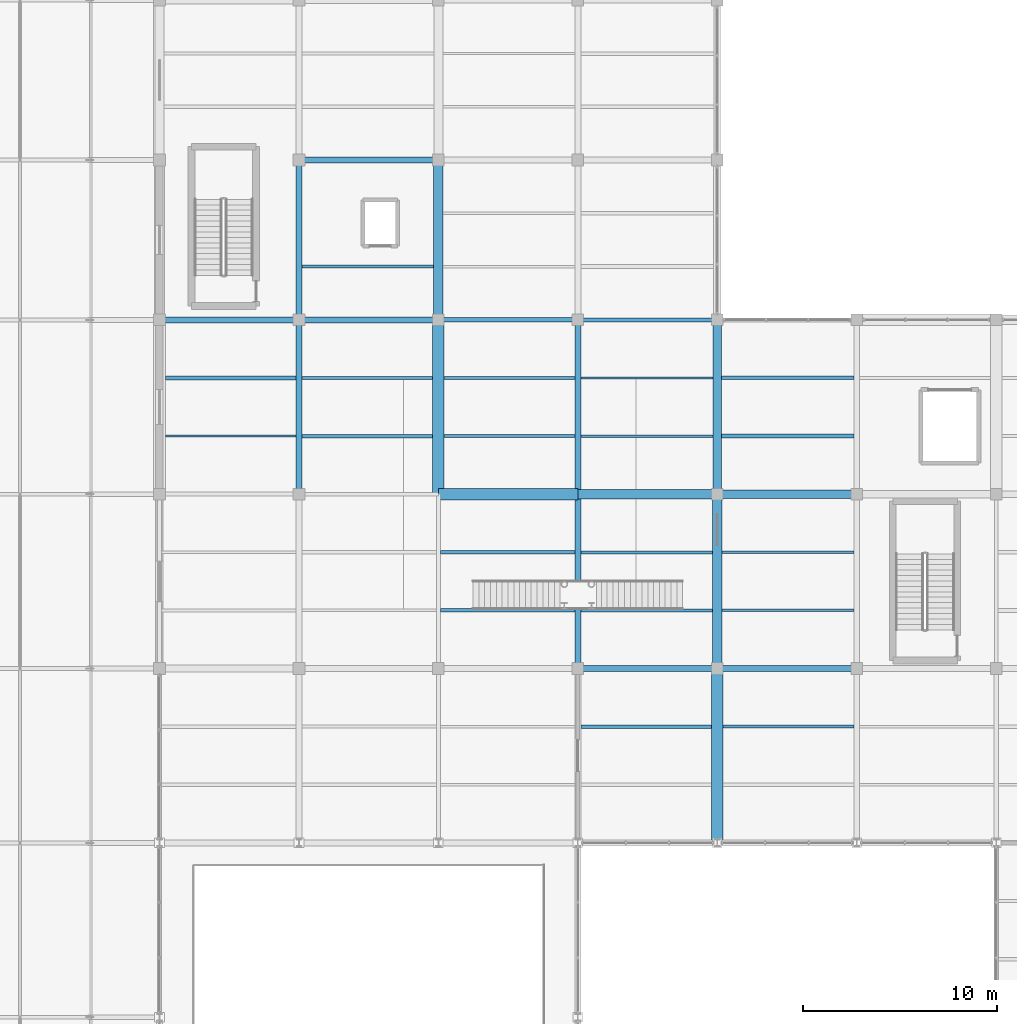
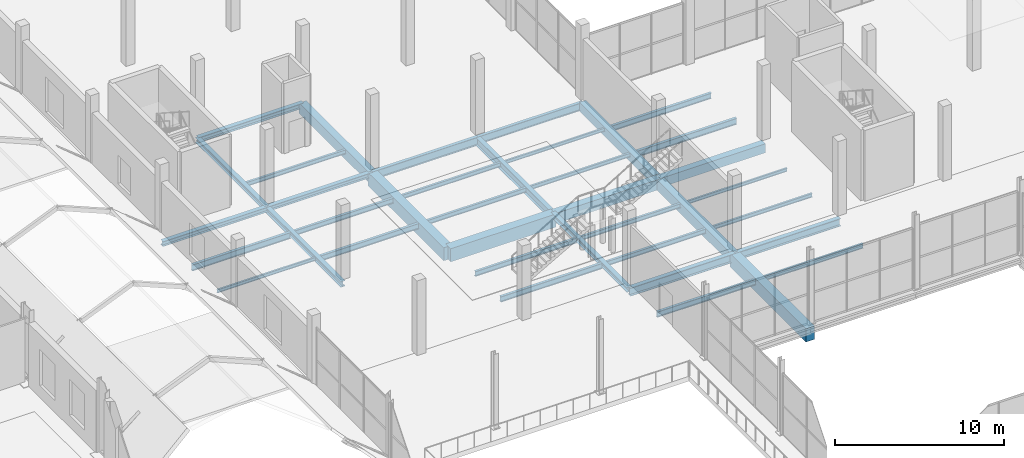
# One storey, part 49 of 141: 38 beams.
"""IFC4 building model written with IfcOpenShell, lengths in metres."""

from ifc_helpers import new_model, si_unit, direction, frame, origin, origin_2d, place, context, subcontext, project, spatial, rectangle, i_section, extrude, material, material_profile, profile_set, type_object, element, save


model = new_model("IFC4")

# Units and contexts
model_context = context("Model", 3, precision=1e-05, world=origin(), true_north=direction((0.0, 1.0)))
body_context = subcontext(model_context, "Body", "Model", "MODEL_VIEW")
ifc_project = project(units=[si_unit("LENGTHUNIT", "METRE"), si_unit("AREAUNIT", "SQUARE_METRE"), si_unit("VOLUMEUNIT", "CUBIC_METRE"), si_unit("PLANEANGLEUNIT", "RADIAN"), si_unit("MASSUNIT", "GRAM", prefix="KILO")], contexts=[model_context])

# Site, building, storey
site_placement = place(None, origin())
site = spatial("IfcSite", under=ifc_project, at=site_placement, CompositionType="ELEMENT")
building_placement = place(site_placement, origin())
building = spatial("IfcBuilding", under=site, at=building_placement, Name="Sundgate Opera House", CompositionType="ELEMENT")
storey_placement = place(building_placement, frame((0.0, 0.0, 11.39990234375)))
storey = spatial("IfcBuildingStorey", under=building, at=storey_placement, Name="L02", CompositionType="ELEMENT", Elevation=11.39990234375)

# Beams
ifc_material_1 = material(Name="Steel S355J2", Category="steel")
ifc_material_profile_1 = material_profile(ifc_material_1, i_section(OverallWidth=0.300048828125, OverallDepth=0.330078125, WebThickness=0.009521484375, FlangeThickness=0.0166015625, at=origin_2d()), Name="HEA 340")
ifc_profile_set_1 = profile_set([ifc_material_profile_1], Name="Steel S355J2")
beam_type_1 = type_object("IfcBeamType", Name="BM-GR-HEA340", PredefinedType="BEAM", material=ifc_profile_set_1)
beam_1_placement = place(storey_placement, frame((102.60009765625, 87.0, -0.514892578125), z_axis=(1.0, 0.0, 0.0), x_axis=(0.0, 1.0, 0.0)))
element("IfcBeam", 1, at=beam_1_placement, inside=storey, type_object=beam_type_1, Name="L02 Primary E-W Girder B2060", PredefinedType="BEAM", context=body_context, shape_type="SweptSolid", body=[
    extrude(i_section(OverallWidth=0.300048828125, OverallDepth=0.330078125, WebThickness=0.009521484375, FlangeThickness=0.0166015625, at=origin_2d()), origin(), (0.0, 0.0, 1.0), 7.199951171875),
])
ifc_material_2 = material(Name="Steel S355J2", Category="steel")
ifc_material_profile_2 = material_profile(ifc_material_2, i_section(OverallWidth=0.300048828125, OverallDepth=0.35009765625, WebThickness=0.010009765625, FlangeThickness=0.017578125, at=origin_2d()), Name="HEA 360")
ifc_profile_set_2 = profile_set([ifc_material_profile_2], Name="Steel S355J2")
beam_type_2 = type_object("IfcBeamType", Name="BM-GR-HEA360", PredefinedType="BEAM", material=ifc_profile_set_2)
beam_2_placement = place(storey_placement, frame((95.39990234375, 87.0, -0.52490234375), z_axis=(1.0, 0.0, 0.0), x_axis=(0.0, 1.0, 0.0)))
element("IfcBeam", 2, at=beam_2_placement, inside=storey, type_object=beam_type_2, Name="L02 Primary E-W Girder B2059", PredefinedType="BEAM", context=body_context, shape_type="SweptSolid", body=[
    extrude(i_section(OverallWidth=0.300048828125, OverallDepth=0.35009765625, WebThickness=0.010009765625, FlangeThickness=0.017578125, at=origin_2d()), origin(), (0.0, 0.0, 1.0), 7.2001953125),
])
ifc_material_3 = material(Name="Steel S355J2", Category="steel")
ifc_material_profile_3 = material_profile(ifc_material_3, i_section(OverallWidth=0.300048828125, OverallDepth=0.590087890625, WebThickness=0.012939453125, FlangeThickness=0.02490234375, at=origin_2d()), Name="HEA 600")
ifc_profile_set_3 = profile_set([ifc_material_profile_3], Name="Steel S355J2")
beam_type_3 = type_object("IfcBeamType", Name="BM-GR-HEA600", PredefinedType="BEAM", material=ifc_profile_set_3)
beam_3_placement = place(storey_placement, frame((117.0, 78.0, -0.64501953125), z_axis=(0.0, 1.0, 0.0), x_axis=(-1.0, 0.0, 0.0)))
element("IfcBeam", 3, at=beam_3_placement, inside=storey, type_object=beam_type_3, Name="L02 Primary N-S Girder B1887", PredefinedType="BEAM", context=body_context, shape_type="SweptSolid", body=[
    extrude(i_section(OverallWidth=0.300048828125, OverallDepth=0.590087890625, WebThickness=0.012939453125, FlangeThickness=0.02490234375, at=origin_2d()), origin(), (0.0, 0.0, 1.0), 9.0),
])
ifc_material_4 = material(Name="Steel S355J2", Category="steel")
ifc_material_profile_4 = material_profile(ifc_material_4, i_section(OverallWidth=0.300048828125, OverallDepth=0.360107421875, WebThickness=0.012451171875, FlangeThickness=0.0224609375, at=origin_2d()), Name="HEB 360")
ifc_profile_set_4 = profile_set([ifc_material_profile_4], Name="Steel S355J2")
beam_type_4 = type_object("IfcBeamType", Name="BM-GR-HEB360", PredefinedType="BEAM", material=ifc_profile_set_4)
beam_4_placement = place(storey_placement, frame((102.60009765625, 87.0, -0.52978515625), z_axis=(0.0, 1.0, 0.0), x_axis=(-1.0, 0.0, 0.0)))
element("IfcBeam", 4, at=beam_4_placement, inside=storey, type_object=beam_type_4, Name="L02 Primary N-S Girder B1864", PredefinedType="BEAM", context=body_context, shape_type="SweptSolid", body=[
    extrude(i_section(OverallWidth=0.300048828125, OverallDepth=0.360107421875, WebThickness=0.012451171875, FlangeThickness=0.0224609375, at=origin_2d()), origin(), (0.0, 0.0, 1.0), 8.25),
])
beam_5_placement = place(storey_placement, frame((117.0, 69.0, -0.52978515625), z_axis=(0.0, 1.0, 0.0), x_axis=(-1.0, 0.0, 0.0)))
element("IfcBeam", 5, at=beam_5_placement, inside=storey, type_object=beam_type_4, Name="L02 Primary N-S Girder B1886", PredefinedType="BEAM", context=body_context, shape_type="SweptSolid", body=[
    extrude(i_section(OverallWidth=0.300048828125, OverallDepth=0.360107421875, WebThickness=0.012451171875, FlangeThickness=0.0224609375, at=origin_2d()), origin(), (0.0, 0.0, 1.0), 9.0),
])
beam_6_placement = place(storey_placement, frame((102.60009765625, 95.25, -0.52978515625), z_axis=(1.0, 0.0, 0.0), x_axis=(0.0, 1.0, 0.0)))
element("IfcBeam", 6, at=beam_6_placement, inside=storey, type_object=beam_type_4, Name="L02 Primary E-W Girder B2076", PredefinedType="BEAM", context=body_context, shape_type="SweptSolid", body=[
    extrude(i_section(OverallWidth=0.300048828125, OverallDepth=0.360107421875, WebThickness=0.012451171875, FlangeThickness=0.0224609375, at=origin_2d()), origin(), (0.0, 0.0, 1.0), 7.199951171875),
])
ifc_material_5 = material(Name="Steel S355J2", Category="steel")
ifc_material_profile_5 = material_profile(ifc_material_5, i_section(OverallWidth=0.300048828125, OverallDepth=0.39990234375, WebThickness=0.013427734375, FlangeThickness=0.02392578125, at=origin_2d()), Name="HEB 400")
ifc_profile_set_5 = profile_set([ifc_material_profile_5], Name="Steel S355J2")
beam_type_5 = type_object("IfcBeamType", Name="BM-GR-HEB400", PredefinedType="BEAM", material=ifc_profile_set_5)
beam_7_placement = place(storey_placement, frame((102.60009765625, 78.0, -0.5498046875), z_axis=(0.0, 1.0, 0.0), x_axis=(-1.0, 0.0, 0.0)))
element("IfcBeam", 7, at=beam_7_placement, inside=storey, type_object=beam_type_5, Name="L02 Primary N-S Girder B1863", PredefinedType="BEAM", context=body_context, shape_type="SweptSolid", body=[
    extrude(i_section(OverallWidth=0.300048828125, OverallDepth=0.39990234375, WebThickness=0.013427734375, FlangeThickness=0.02392578125, at=origin_2d()), origin(), (0.0, 0.0, 1.0), 9.0),
])
ifc_material_6 = material(Name="Steel S355J2", Category="steel")
ifc_material_profile_6 = material_profile(ifc_material_6, i_section(OverallWidth=0.300048828125, OverallDepth=0.550048828125, WebThickness=0.014892578125, FlangeThickness=0.029052734375, at=origin_2d()), Name="HEB 550")
ifc_profile_set_6 = profile_set([ifc_material_profile_6], Name="Steel S355J2")
beam_type_6 = type_object("IfcBeamType", Name="BM-GR-HEB550", PredefinedType="BEAM", material=ifc_profile_set_6)
beam_8_placement = place(storey_placement, frame((124.199951171875, 69.0, -0.625), z_axis=(1.0, 0.0, 0.0), x_axis=(0.0, 1.0, 0.0)))
element("IfcBeam", 8, at=beam_8_placement, inside=storey, type_object=beam_type_6, Name="L02 Primary E-W Girder B2038", PredefinedType="BEAM", context=body_context, shape_type="SweptSolid", body=[
    extrude(i_section(OverallWidth=0.300048828125, OverallDepth=0.550048828125, WebThickness=0.014892578125, FlangeThickness=0.029052734375, at=origin_2d()), origin(), (0.0, 0.0, 1.0), 7.199951171875),
])
ifc_material_7 = material(Name="Steel S355J2", Category="steel")
ifc_material_profile_7 = material_profile(ifc_material_7, i_section(OverallWidth=0.300048828125, OverallDepth=0.60009765625, WebThickness=0.015380859375, FlangeThickness=0.030029296875, at=origin_2d()), Name="HEB 600")
ifc_profile_set_7 = profile_set([ifc_material_profile_7], Name="Steel S355J2")
beam_type_7 = type_object("IfcBeamType", Name="BM-GR-HEB600", PredefinedType="BEAM", material=ifc_profile_set_7)
beam_9_placement = place(storey_placement, frame((117.0, 69.0, -0.64990234375), z_axis=(1.0, 0.0, 0.0), x_axis=(0.0, 1.0, 0.0)))
element("IfcBeam", 9, at=beam_9_placement, inside=storey, type_object=beam_type_7, Name="L02 Primary E-W Girder B2037", PredefinedType="BEAM", context=body_context, shape_type="SweptSolid", body=[
    extrude(i_section(OverallWidth=0.300048828125, OverallDepth=0.60009765625, WebThickness=0.015380859375, FlangeThickness=0.030029296875, at=origin_2d()), origin(), (0.0, 0.0, 1.0), 7.199951171875),
])
ifc_material_8 = material(Name="Steel S355J2", Category="steel")
ifc_material_profile_8 = material_profile(ifc_material_8, i_section(OverallWidth=0.2099609375, OverallDepth=0.550048828125, WebThickness=0.010986328125, FlangeThickness=0.01708984375, at=origin_2d()), Name="IPE 550")
ifc_profile_set_8 = profile_set([ifc_material_profile_8], Name="Steel S355J2")
beam_type_8 = type_object("IfcBeamType", Name="BM-GR-IPE550", PredefinedType="BEAM", material=ifc_profile_set_8)
beam_10_placement = place(storey_placement, frame((117.0, 87.0, -0.625), z_axis=(1.0, 0.0, 0.0), x_axis=(0.0, 1.0, 0.0)))
element("IfcBeam", 10, at=beam_10_placement, inside=storey, type_object=beam_type_8, Name="L02 Primary E-W Girder B2062", PredefinedType="BEAM", context=body_context, shape_type="SweptSolid", body=[
    extrude(i_section(OverallWidth=0.2099609375, OverallDepth=0.550048828125, WebThickness=0.010986328125, FlangeThickness=0.01708984375, at=origin_2d()), origin(), (0.0, 0.0, 1.0), 7.199951171875),
])
ifc_material_9 = material(Name="Steel S355J2", Category="steel")
ifc_material_profile_9 = material_profile(ifc_material_9, i_section(OverallWidth=0.219970703125, OverallDepth=0.60009765625, WebThickness=0.011962890625, FlangeThickness=0.01904296875, at=origin_2d()), Name="IPE 600")
ifc_profile_set_9 = profile_set([ifc_material_profile_9], Name="Steel S355J2")
beam_type_9 = type_object("IfcBeamType", Name="BM-GR-IPE600", PredefinedType="BEAM", material=ifc_profile_set_9)
beam_11_placement = place(storey_placement, frame((109.800048828125, 87.0, -0.64990234375), z_axis=(1.0, 0.0, 0.0), x_axis=(0.0, 1.0, 0.0)))
element("IfcBeam", 11, at=beam_11_placement, inside=storey, type_object=beam_type_9, Name="L02 Primary E-W Girder B2061", PredefinedType="BEAM", context=body_context, shape_type="SweptSolid", body=[
    extrude(i_section(OverallWidth=0.219970703125, OverallDepth=0.60009765625, WebThickness=0.011962890625, FlangeThickness=0.01904296875, at=origin_2d()), origin(), (0.0, 0.0, 1.0), 7.199951171875),
])
ifc_material_10 = material(Name="Steel S355J2", Category="steel")
ifc_material_profile_10 = material_profile(ifc_material_10, i_section(OverallWidth=0.1201171875, OverallDepth=0.239990234375, WebThickness=0.006103515625, FlangeThickness=0.009765625, at=origin_2d()), Name="IPE 240")
ifc_profile_set_10 = profile_set([ifc_material_profile_10], Name="Steel S355J2")
beam_type_10 = type_object("IfcBeamType", Name="BM-JS-IPE240", PredefinedType="JOIST", material=ifc_profile_set_10)
beam_12_placement = place(storey_placement, frame((124.449951171875, 75.0, -0.469970703125), z_axis=(1.0, 0.0, 0.0), x_axis=(0.0, 1.0, 0.0)))
element("IfcBeam", 12, at=beam_12_placement, inside=storey, type_object=beam_type_10, Name="L02 Secondary Floor Joist B2296", PredefinedType="JOIST", context=body_context, shape_type="SweptSolid", body=[
    extrude(i_section(OverallWidth=0.1201171875, OverallDepth=0.239990234375, WebThickness=0.006103515625, FlangeThickness=0.009765625, at=origin_2d()), origin(), (0.0, 0.0, 1.0), 6.800048828125),
])
beam_13_placement = place(storey_placement, frame((95.699951171875, 81.0, -0.469970703125), z_axis=(1.0, 0.0, 0.0), x_axis=(0.0, 1.0, 0.0)))
element("IfcBeam", 13, at=beam_13_placement, inside=storey, type_object=beam_type_10, Name="L02 Secondary Floor Joist B2317", PredefinedType="JOIST", context=body_context, shape_type="SweptSolid", body=[
    extrude(i_section(OverallWidth=0.1201171875, OverallDepth=0.239990234375, WebThickness=0.006103515625, FlangeThickness=0.009765625, at=origin_2d()), origin(), (0.0, 0.0, 1.0), 6.75),
])
beam_14_placement = place(storey_placement, frame((117.14990234375, 84.0, -0.469970703125), z_axis=(1.0, 0.0, 0.0), x_axis=(0.0, 1.0, 0.0)))
element("IfcBeam", 14, at=beam_14_placement, inside=storey, type_object=beam_type_10, Name="L02 Secondary Floor Joist B2324", PredefinedType="JOIST", context=body_context, shape_type="SweptSolid", body=[
    extrude(i_section(OverallWidth=0.1201171875, OverallDepth=0.239990234375, WebThickness=0.006103515625, FlangeThickness=0.009765625, at=origin_2d()), origin(), (0.0, 0.0, 1.0), 6.8251953125),
])
ifc_material_11 = material(Name="Steel S355J2", Category="steel")
ifc_material_profile_11 = material_profile(ifc_material_11, i_section(OverallWidth=0.135009765625, OverallDepth=0.27001953125, WebThickness=0.006591796875, FlangeThickness=0.01025390625, at=origin_2d()), Name="IPE 270")
ifc_profile_set_11 = profile_set([ifc_material_profile_11], Name="Steel S355J2")
beam_type_11 = type_object("IfcBeamType", Name="BM-JS-IPE270", PredefinedType="JOIST", material=ifc_profile_set_11)
beam_15_placement = place(storey_placement, frame((124.449951171875, 72.0, -0.48486328125), z_axis=(1.0, 0.0, 0.0), x_axis=(0.0, 1.0, 0.0)))
element("IfcBeam", 15, at=beam_15_placement, inside=storey, type_object=beam_type_11, Name="L02 Secondary Floor Joist B2295", PredefinedType="JOIST", context=body_context, shape_type="SweptSolid", body=[
    extrude(i_section(OverallWidth=0.135009765625, OverallDepth=0.27001953125, WebThickness=0.006591796875, FlangeThickness=0.01025390625, at=origin_2d()), origin(), (0.0, 0.0, 1.0), 6.800048828125),
])
beam_16_placement = place(storey_placement, frame((117.14990234375, 81.0, -0.48486328125), z_axis=(1.0, 0.0, 0.0), x_axis=(0.0, 1.0, 0.0)))
element("IfcBeam", 16, at=beam_16_placement, inside=storey, type_object=beam_type_11, Name="L02 Secondary Floor Joist B2323", PredefinedType="JOIST", context=body_context, shape_type="SweptSolid", body=[
    extrude(i_section(OverallWidth=0.135009765625, OverallDepth=0.27001953125, WebThickness=0.006591796875, FlangeThickness=0.01025390625, at=origin_2d()), origin(), (0.0, 0.0, 1.0), 6.8251953125),
])
ifc_material_12 = material(Name="Steel S355J2", Category="steel")
ifc_material_profile_12 = material_profile(ifc_material_12, i_section(OverallWidth=0.14990234375, OverallDepth=0.300048828125, WebThickness=0.007080078125, FlangeThickness=0.0107421875, at=origin_2d()), Name="IPE 300")
ifc_profile_set_12 = profile_set([ifc_material_profile_12], Name="Steel S355J2")
beam_type_12 = type_object("IfcBeamType", Name="BM-JS-IPE300", PredefinedType="JOIST", material=ifc_profile_set_12)
beam_17_placement = place(storey_placement, frame((117.14990234375, 75.0, -0.5), z_axis=(1.0, 0.0, 0.0), x_axis=(0.0, 1.0, 0.0)))
element("IfcBeam", 17, at=beam_17_placement, inside=storey, type_object=beam_type_12, Name="L02 Secondary Floor Joist B2294", PredefinedType="JOIST", context=body_context, shape_type="SweptSolid", body=[
    extrude(i_section(OverallWidth=0.14990234375, OverallDepth=0.300048828125, WebThickness=0.007080078125, FlangeThickness=0.0107421875, at=origin_2d()), origin(), (0.0, 0.0, 1.0), 6.800048828125),
])
beam_18_placement = place(storey_placement, frame((110.10009765625, 84.0, -0.5), z_axis=(1.0, 0.0, 0.0), x_axis=(0.0, 1.0, 0.0)))
element("IfcBeam", 18, at=beam_18_placement, inside=storey, type_object=beam_type_12, Name="L02 Secondary Floor Joist B2322", PredefinedType="JOIST", context=body_context, shape_type="SweptSolid", body=[
    extrude(i_section(OverallWidth=0.14990234375, OverallDepth=0.300048828125, WebThickness=0.007080078125, FlangeThickness=0.0107421875, at=origin_2d()), origin(), (0.0, 0.0, 1.0), 6.75),
])
beam_19_placement = place(storey_placement, frame((102.75, 89.75, -0.5), z_axis=(1.0, 0.0, 0.0), x_axis=(0.0, 1.0, 0.0)))
element("IfcBeam", 19, at=beam_19_placement, inside=storey, type_object=beam_type_12, Name="L02 Secondary Floor Joist B2350", PredefinedType="JOIST", context=body_context, shape_type="SweptSolid", body=[
    extrude(i_section(OverallWidth=0.14990234375, OverallDepth=0.300048828125, WebThickness=0.007080078125, FlangeThickness=0.0107421875, at=origin_2d()), origin(), (0.0, 0.0, 1.0), 6.800048828125),
])
ifc_material_13 = material(Name="Steel S355J2", Category="steel")
ifc_material_profile_13 = material_profile(ifc_material_13, i_section(OverallWidth=0.159912109375, OverallDepth=0.330078125, WebThickness=0.007568359375, FlangeThickness=0.011474609375, at=origin_2d()), Name="IPE 330")
ifc_profile_set_13 = profile_set([ifc_material_profile_13], Name="Steel S355J2")
beam_type_13 = type_object("IfcBeamType", Name="BM-JS-IPE330", PredefinedType="JOIST", material=ifc_profile_set_13)
beam_20_placement = place(storey_placement, frame((124.5, 66.0, -0.514892578125), z_axis=(1.0, 0.0, 0.0), x_axis=(0.0, 1.0, 0.0)))
element("IfcBeam", 20, at=beam_20_placement, inside=storey, type_object=beam_type_13, Name="L02 Secondary Floor Joist B2272", PredefinedType="JOIST", context=body_context, shape_type="SweptSolid", body=[
    extrude(i_section(OverallWidth=0.159912109375, OverallDepth=0.330078125, WebThickness=0.007568359375, FlangeThickness=0.011474609375, at=origin_2d()), origin(), (0.0, 0.0, 1.0), 6.75),
])
beam_21_placement = place(storey_placement, frame((117.14990234375, 72.0, -0.514892578125), z_axis=(1.0, 0.0, 0.0), x_axis=(0.0, 1.0, 0.0)))
element("IfcBeam", 21, at=beam_21_placement, inside=storey, type_object=beam_type_13, Name="L02 Secondary Floor Joist B2293", PredefinedType="JOIST", context=body_context, shape_type="SweptSolid", body=[
    extrude(i_section(OverallWidth=0.159912109375, OverallDepth=0.330078125, WebThickness=0.007568359375, FlangeThickness=0.011474609375, at=origin_2d()), origin(), (0.0, 0.0, 1.0), 6.800048828125),
])
beam_22_placement = place(storey_placement, frame((110.10009765625, 81.0, -0.514892578125), z_axis=(1.0, 0.0, 0.0), x_axis=(0.0, 1.0, 0.0)))
element("IfcBeam", 22, at=beam_22_placement, inside=storey, type_object=beam_type_13, Name="L02 Secondary Floor Joist B2321", PredefinedType="JOIST", context=body_context, shape_type="SweptSolid", body=[
    extrude(i_section(OverallWidth=0.159912109375, OverallDepth=0.330078125, WebThickness=0.007568359375, FlangeThickness=0.011474609375, at=origin_2d()), origin(), (0.0, 0.0, 1.0), 6.75),
])
ifc_material_14 = material(Name="Steel S355J2", Category="steel")
ifc_material_profile_14 = material_profile(ifc_material_14, i_section(OverallWidth=0.169921875, OverallDepth=0.360107421875, WebThickness=0.008056640625, FlangeThickness=0.0126953125, at=origin_2d()), Name="IPE 360")
ifc_profile_set_14 = profile_set([ifc_material_profile_14], Name="Steel S355J2")
beam_type_14 = type_object("IfcBeamType", Name="BM-JS-IPE360", PredefinedType="JOIST", material=ifc_profile_set_14)
beam_23_placement = place(storey_placement, frame((109.89990234375, 75.0, -0.52978515625), z_axis=(1.0, 0.0, 0.0), x_axis=(0.0, 1.0, 0.0)))
element("IfcBeam", 23, at=beam_23_placement, inside=storey, type_object=beam_type_14, Name="L02 Secondary Floor Joist B2292", PredefinedType="JOIST", context=body_context, shape_type="SweptSolid", body=[
    extrude(i_section(OverallWidth=0.169921875, OverallDepth=0.360107421875, WebThickness=0.008056640625, FlangeThickness=0.0126953125, at=origin_2d()), origin(), (0.0, 0.0, 1.0), 6.9501953125),
])
beam_24_placement = place(storey_placement, frame((102.75, 84.0, -0.52978515625), z_axis=(1.0, 0.0, 0.0), x_axis=(0.0, 1.0, 0.0)))
element("IfcBeam", 24, at=beam_24_placement, inside=storey, type_object=beam_type_14, Name="L02 Secondary Floor Joist B2320", PredefinedType="JOIST", context=body_context, shape_type="SweptSolid", body=[
    extrude(i_section(OverallWidth=0.169921875, OverallDepth=0.360107421875, WebThickness=0.008056640625, FlangeThickness=0.0126953125, at=origin_2d()), origin(), (0.0, 0.0, 1.0), 6.75),
])
ifc_material_15 = material(Name="Steel S355J2", Category="steel")
ifc_material_profile_15 = material_profile(ifc_material_15, i_section(OverallWidth=0.179931640625, OverallDepth=0.39990234375, WebThickness=0.008544921875, FlangeThickness=0.013427734375, at=origin_2d()), Name="IPE 400")
ifc_profile_set_15 = profile_set([ifc_material_profile_15], Name="Steel S355J2")
beam_type_15 = type_object("IfcBeamType", Name="BM-JS-IPE400", PredefinedType="JOIST", material=ifc_profile_set_15)
beam_25_placement = place(storey_placement, frame((117.14990234375, 66.0, -0.5498046875), z_axis=(1.0, 0.0, 0.0), x_axis=(0.0, 1.0, 0.0)))
element("IfcBeam", 25, at=beam_25_placement, inside=storey, type_object=beam_type_15, Name="L02 Secondary Floor Joist B2270", PredefinedType="JOIST", context=body_context, shape_type="SweptSolid", body=[
    extrude(i_section(OverallWidth=0.179931640625, OverallDepth=0.39990234375, WebThickness=0.008544921875, FlangeThickness=0.013427734375, at=origin_2d()), origin(), (0.0, 0.0, 1.0), 6.75),
])
beam_26_placement = place(storey_placement, frame((109.89990234375, 72.0, -0.5498046875), z_axis=(1.0, 0.0, 0.0), x_axis=(0.0, 1.0, 0.0)))
element("IfcBeam", 26, at=beam_26_placement, inside=storey, type_object=beam_type_15, Name="L02 Secondary Floor Joist B2291", PredefinedType="JOIST", context=body_context, shape_type="SweptSolid", body=[
    extrude(i_section(OverallWidth=0.179931640625, OverallDepth=0.39990234375, WebThickness=0.008544921875, FlangeThickness=0.013427734375, at=origin_2d()), origin(), (0.0, 0.0, 1.0), 6.9501953125),
])
beam_27_placement = place(storey_placement, frame((102.75, 81.0, -0.5498046875), z_axis=(1.0, 0.0, 0.0), x_axis=(0.0, 1.0, 0.0)))
element("IfcBeam", 27, at=beam_27_placement, inside=storey, type_object=beam_type_15, Name="L02 Secondary Floor Joist B2319", PredefinedType="JOIST", context=body_context, shape_type="SweptSolid", body=[
    extrude(i_section(OverallWidth=0.179931640625, OverallDepth=0.39990234375, WebThickness=0.008544921875, FlangeThickness=0.013427734375, at=origin_2d()), origin(), (0.0, 0.0, 1.0), 6.75),
])
beam_28_placement = place(storey_placement, frame((124.425048828125, 84.0, -0.5498046875), z_axis=(1.0, 0.0, 0.0), x_axis=(0.0, 1.0, 0.0)))
element("IfcBeam", 28, at=beam_28_placement, inside=storey, type_object=beam_type_15, Name="L02 Secondary Floor Joist B2326", PredefinedType="JOIST", context=body_context, shape_type="SweptSolid", body=[
    extrude(i_section(OverallWidth=0.179931640625, OverallDepth=0.39990234375, WebThickness=0.008544921875, FlangeThickness=0.013427734375, at=origin_2d()), origin(), (0.0, 0.0, 1.0), 6.824951171875),
])
ifc_material_16 = material(Name="Steel S355J2", Category="steel")
ifc_material_profile_16 = material_profile(ifc_material_16, i_section(OverallWidth=0.18994140625, OverallDepth=0.449951171875, WebThickness=0.009521484375, FlangeThickness=0.0146484375, at=origin_2d()), Name="IPE 450")
ifc_profile_set_16 = profile_set([ifc_material_profile_16], Name="Steel S355J2")
beam_type_16 = type_object("IfcBeamType", Name="BM-JS-IPE450", PredefinedType="JOIST", material=ifc_profile_set_16)
beam_29_placement = place(storey_placement, frame((95.699951171875, 84.0, -0.574951171875), z_axis=(1.0, 0.0, 0.0), x_axis=(0.0, 1.0, 0.0)))
element("IfcBeam", 29, at=beam_29_placement, inside=storey, type_object=beam_type_16, Name="L02 Secondary Floor Joist B2318", PredefinedType="JOIST", context=body_context, shape_type="SweptSolid", body=[
    extrude(i_section(OverallWidth=0.18994140625, OverallDepth=0.449951171875, WebThickness=0.009521484375, FlangeThickness=0.0146484375, at=origin_2d()), origin(), (0.0, 0.0, 1.0), 6.75),
])
beam_30_placement = place(storey_placement, frame((124.425048828125, 81.0, -0.574951171875), z_axis=(1.0, 0.0, 0.0), x_axis=(0.0, 1.0, 0.0)))
element("IfcBeam", 30, at=beam_30_placement, inside=storey, type_object=beam_type_16, Name="L02 Secondary Floor Joist B2325", PredefinedType="JOIST", context=body_context, shape_type="SweptSolid", body=[
    extrude(i_section(OverallWidth=0.18994140625, OverallDepth=0.449951171875, WebThickness=0.009521484375, FlangeThickness=0.0146484375, at=origin_2d()), origin(), (0.0, 0.0, 1.0), 6.824951171875),
])
ifc_material_17 = material(Name="Concrete C35/45", Category="concrete")
ifc_material_profile_17 = material_profile(ifc_material_17, rectangle(XDim=0.449951171875, YDim=0.64990234375, at=origin_2d()), Name="RC 450x650")
ifc_profile_set_17 = profile_set([ifc_material_profile_17], Name="Concrete C35/45")
beam_type_17 = type_object("IfcBeamType", Name="BM-RC-450x650", PredefinedType="BEAM", material=ifc_profile_set_17)
beam_31_placement = place(storey_placement, frame((124.199951171875, 78.0, -0.6748046875), z_axis=(0.0, 1.0, 0.0), x_axis=(-1.0, 0.0, 0.0)))
element("IfcBeam", 31, at=beam_31_placement, inside=storey, type_object=beam_type_17, Name="L02 Primary N-S Girder B1898", PredefinedType="BEAM", context=body_context, shape_type="SweptSolid", body=[
    extrude(rectangle(XDim=0.449951171875, YDim=0.64990234375, at=origin_2d()), origin(), (0.0, 0.0, 1.0), 9.0),
])
beam_32_placement = place(storey_placement, frame((124.199951171875, 78.0, -0.6748046875), z_axis=(1.0, 0.0, 0.0), x_axis=(0.0, 1.0, 0.0)))
element("IfcBeam", 32, at=beam_32_placement, inside=storey, type_object=beam_type_17, Name="L02 Primary E-W Girder B2050", PredefinedType="BEAM", context=body_context, shape_type="SweptSolid", body=[
    extrude(rectangle(XDim=0.449951171875, YDim=0.64990234375, at=origin_2d()), origin(), (0.0, 0.0, 1.0), 7.199951171875),
])
ifc_material_18 = material(Name="Concrete C40/50", Category="concrete")
ifc_material_profile_18 = material_profile(ifc_material_18, rectangle(XDim=0.5, YDim=0.75, at=origin_2d()), Name="RC 500x750")
ifc_profile_set_18 = profile_set([ifc_material_profile_18], Name="Concrete C40/50")
beam_type_18 = type_object("IfcBeamType", Name="BM-RC-500x750", PredefinedType="BEAM", material=ifc_profile_set_18)
beam_33_placement = place(storey_placement, frame((109.800048828125, 87.0, -0.724853515625), z_axis=(0.0, 1.0, 0.0), x_axis=(-1.0, 0.0, 0.0)))
element("IfcBeam", 33, at=beam_33_placement, inside=storey, type_object=beam_type_18, Name="L02 Primary N-S Girder B1875", PredefinedType="BEAM", context=body_context, shape_type="SweptSolid", body=[
    extrude(rectangle(XDim=0.5, YDim=0.75, at=origin_2d()), origin(), (0.0, 0.0, 1.0), 8.25),
])
beam_34_placement = place(storey_placement, frame((124.199951171875, 69.0, -0.724853515625), z_axis=(0.0, 1.0, 0.0), x_axis=(-1.0, 0.0, 0.0)))
element("IfcBeam", 34, at=beam_34_placement, inside=storey, type_object=beam_type_18, Name="L02 Primary N-S Girder B1897", PredefinedType="BEAM", context=body_context, shape_type="SweptSolid", body=[
    extrude(rectangle(XDim=0.5, YDim=0.75, at=origin_2d()), origin(), (0.0, 0.0, 1.0), 9.0),
])
beam_35_placement = place(storey_placement, frame((117.0, 78.0, -0.724853515625), z_axis=(1.0, 0.0, 0.0), x_axis=(0.0, 1.0, 0.0)))
element("IfcBeam", 35, at=beam_35_placement, inside=storey, type_object=beam_type_18, Name="L02 Primary E-W Girder B2049", PredefinedType="BEAM", context=body_context, shape_type="SweptSolid", body=[
    extrude(rectangle(XDim=0.5, YDim=0.75, at=origin_2d()), origin(), (0.0, 0.0, 1.0), 7.199951171875),
])
ifc_material_19 = material(Name="Concrete C40/50", Category="concrete")
ifc_material_profile_19 = material_profile(ifc_material_19, rectangle(XDim=0.60009765625, YDim=0.949951171875, at=origin_2d()), Name="RC 600x950")
ifc_profile_set_19 = profile_set([ifc_material_profile_19], Name="Concrete C40/50")
beam_type_19 = type_object("IfcBeamType", Name="BM-RC-600x950", PredefinedType="BEAM", material=ifc_profile_set_19)
for number, where, z_axis, x_axis, name in (
    (36, (109.800048828125, 78.0, -0.824951171875), (0.0, 1.0, 0.0), (-1.0, 0.0, 0.0), "L02 Primary N-S Girder B1874"),
    (37, (124.199951171875, 60.0, -0.824951171875), (0.0, 1.0, 0.0), (-1.0, 0.0, 0.0), "L02 Primary N-S Girder B1896"),
):
    element("IfcBeam", number, at=place(storey_placement, frame(where, z_axis=z_axis, x_axis=x_axis)), inside=storey, type_object=beam_type_19, Name=name, PredefinedType="BEAM", context=body_context, shape_type="SweptSolid", body=[
        extrude(rectangle(XDim=0.60009765625, YDim=0.949951171875, at=origin_2d()), origin(), (0.0, 0.0, 1.0), 9.0),
    ])
beam_36_placement = place(storey_placement, frame((109.800048828125, 78.0, -0.824951171875), z_axis=(1.0, 0.0, 0.0), x_axis=(0.0, 1.0, 0.0)))
element("IfcBeam", 38, at=beam_36_placement, inside=storey, type_object=beam_type_19, Name="L02 Primary E-W Girder B2048", PredefinedType="BEAM", context=body_context, shape_type="SweptSolid", body=[
    extrude(rectangle(XDim=0.60009765625, YDim=0.949951171875, at=origin_2d()), origin(), (0.0, 0.0, 1.0), 7.199951171875),
])

save(model, "model.ifc")
